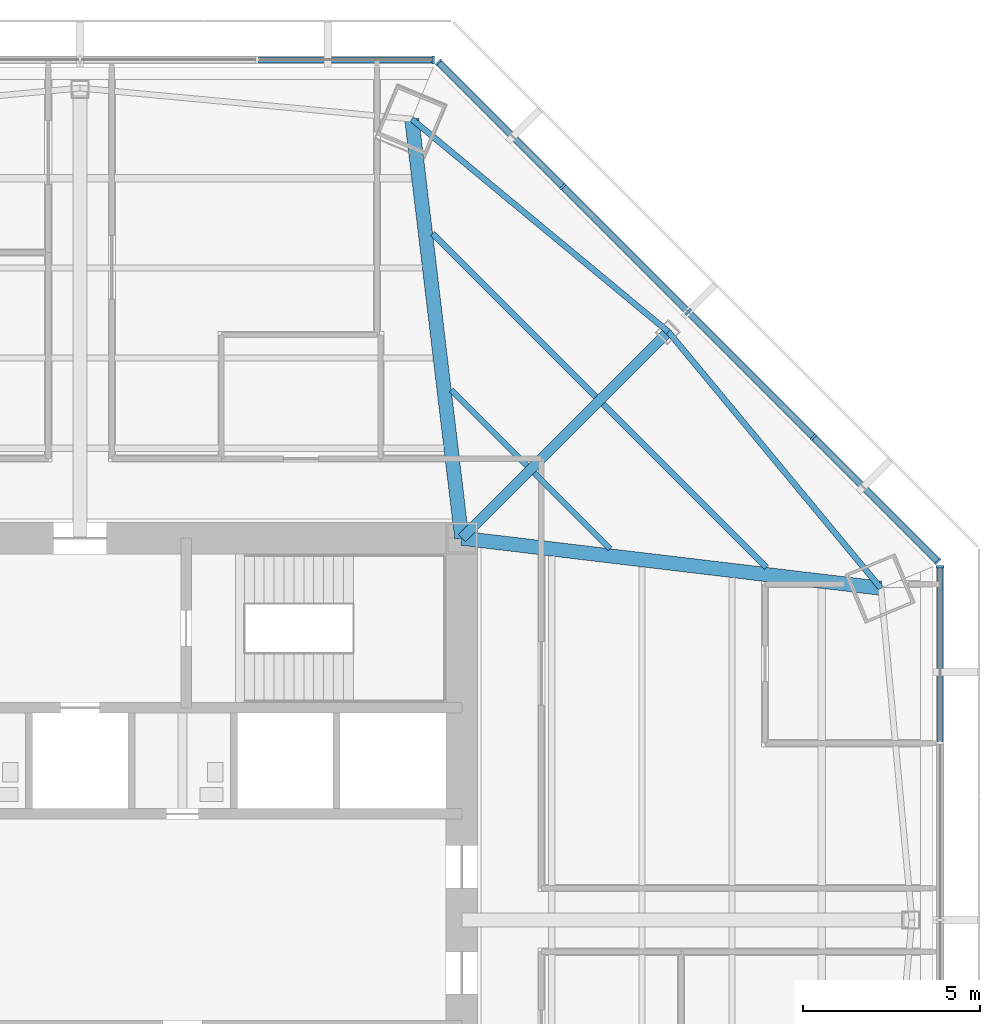
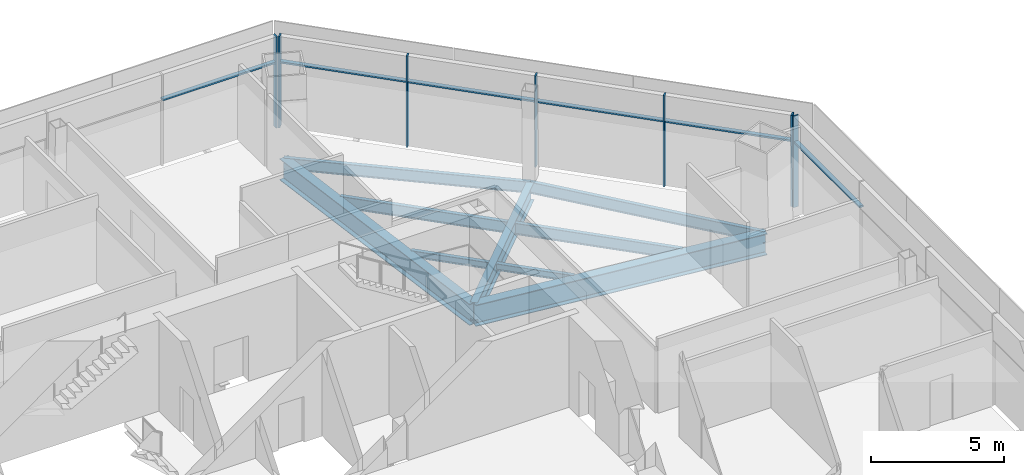
# One storey, part 6 of 14: 13 members, 9 beams, 3 elements without a shape of their own.
"""IFC4 building model written with IfcOpenShell, lengths in metres."""

from ifc_helpers import new_model, si_unit, direction, frame, origin, origin_2d, place, context, subcontext, project, spatial, rectangle, i_section, extrude, source, transform, mapped, material, material_profile, profile_set, type_object, type_shapes, element, aggregate, save


model = new_model("IFC4")

# Units and contexts
model_context = context("Model", 3, precision=1e-05, world=origin(), true_north=direction((0.0, 1.0)))
body_context = subcontext(model_context, "Body", "Model", "MODEL_VIEW")
ifc_project = project(units=[si_unit("LENGTHUNIT", "METRE"), si_unit("AREAUNIT", "SQUARE_METRE"), si_unit("VOLUMEUNIT", "CUBIC_METRE"), si_unit("PLANEANGLEUNIT", "RADIAN"), si_unit("MASSUNIT", "GRAM", prefix="KILO")], contexts=[model_context])

# Site, building, storey
site_placement = place(None, origin())
site = spatial("IfcSite", under=ifc_project, at=site_placement, CompositionType="ELEMENT")
building_placement = place(site_placement, origin())
building = spatial("IfcBuilding", under=site, at=building_placement, Name="Mashrafa Tower", CompositionType="ELEMENT")
storey_placement = place(building_placement, frame((0.0, 0.0, 130.199951171875)))
storey = spatial("IfcBuildingStorey", under=building, at=storey_placement, Name="L29", CompositionType="ELEMENT", Elevation=130.199951171875)

# Beams
ifc_material_1 = material(Name="Steel ASTM A992", Category="steel")
ifc_material_profile_1 = material_profile(ifc_material_1, i_section(OverallWidth=0.164794921875, OverallDepth=0.309814453125, WebThickness=0.005859375, FlangeThickness=0.009765625, FilletRadius=0.007568359375, at=origin_2d()), Name="W12X26")
ifc_profile_set_1 = profile_set([ifc_material_profile_1], Name="Steel ASTM A992")
beam_type_1 = type_object("IfcBeamType", Name="Beam W12X26", PredefinedType="BEAM", material=ifc_profile_set_1)
for number, where, z_axis, x_axis, name in (
    (1, (10.501953125, 14.9931640625, -0.31982421875), (0.707106781187, -0.707106781187, 0.0), (0.707106781187, 0.707106781187, 0.0), "Floor beam L29 033"),
    (2, (12.850830078125, 12.644287109375, -0.31982421875), (0.707106781187, -0.707106781187, 0.0), (0.707106781187, 0.707106781187, 0.0), "Floor beam L29 036"),
):
    element("IfcBeam", number, at=place(storey_placement, frame(where, z_axis=z_axis, x_axis=x_axis)), inside=storey, type_object=beam_type_1, Name=name, PredefinedType="BEAM", context=body_context, shape_type="SweptSolid", body=[
        extrude(i_section(OverallWidth=0.164794921875, OverallDepth=0.309814453125, WebThickness=0.005859375, FlangeThickness=0.009765625, FilletRadius=0.007568359375, at=origin_2d()), origin(), (0.0, 0.0, 1.0), 3.02978515625),
    ])
ifc_material_2 = material(Name="Steel ASTM A992", Category="steel")
ifc_material_profile_2 = material_profile(ifc_material_2, i_section(OverallWidth=0.1650390625, OverallDepth=0.52587890625, WebThickness=0.0087890625, FlangeThickness=0.011474609375, FilletRadius=0.0126953125, at=origin_2d()), Name="W21X44")
ifc_profile_set_2 = profile_set([ifc_material_profile_2], Name="Steel ASTM A992")
beam_type_2 = type_object("IfcBeamType", Name="Beam W21X44", PredefinedType="BEAM", material=ifc_profile_set_2)
for number, where, z_axis, x_axis, name in (
    (3, (9.97412109375, 19.416015625, -0.427734375), (0.707106781187, -0.707106781187, 0.0), (0.707106781187, 0.707106781187, 0.0), "Floor beam L29 030"),
    (4, (14.79833984375, 14.591796875, -0.427734375), (0.707106781187, -0.707106781187, 0.0), (0.707106781187, 0.707106781187, 0.0), "Floor beam L29 040"),
):
    element("IfcBeam", number, at=place(storey_placement, frame(where, z_axis=z_axis, x_axis=x_axis)), inside=storey, type_object=beam_type_2, Name=name, PredefinedType="BEAM", context=body_context, shape_type="SweptSolid", body=[
        extrude(i_section(OverallWidth=0.1650390625, OverallDepth=0.52587890625, WebThickness=0.0087890625, FlangeThickness=0.011474609375, FilletRadius=0.0126953125, at=origin_2d()), origin(), (0.0, 0.0, 1.0), 6.5302734375),
    ])
for number, where, z_axis, x_axis, name in (
    (5, (16.642578125, 16.642578125, -0.427734375), (-0.76990848316, 0.63815431328, 0.0), (-0.63815431328, -0.76990848316, 0.0), "Spandrel beam L29 077"),
    (6, (22.657958984375, 9.38525390625, -0.427734375), (-0.63815431328, 0.76990848316, 0.0), (-0.76990848316, -0.63815431328, 0.0), "Spandrel beam L29 079"),
):
    element("IfcBeam", number, at=place(storey_placement, frame(where, z_axis=z_axis, x_axis=x_axis)), inside=storey, type_object=beam_type_2, Name=name, PredefinedType="BEAM", context=body_context, shape_type="SweptSolid", body=[
        extrude(i_section(OverallWidth=0.1650390625, OverallDepth=0.52587890625, WebThickness=0.0087890625, FlangeThickness=0.011474609375, FilletRadius=0.0126953125, at=origin_2d()), origin(), (0.0, 0.0, 1.0), 9.42626953125),
    ])
ifc_material_3 = material(Name="Steel ASTM A992", Category="steel")
ifc_material_profile_3 = material_profile(ifc_material_3, i_section(OverallWidth=0.2919921875, OverallDepth=0.8408203125, WebThickness=0.0146484375, FlangeThickness=0.021728515625, FilletRadius=0.017333984375, at=origin_2d()), Name="W33X130")
ifc_profile_set_3 = profile_set([ifc_material_profile_3], Name="Steel ASTM A992")
beam_type_3 = type_object("IfcBeamType", Name="Beam W33X130", PredefinedType="BEAM", material=ifc_profile_set_3)
beam_placement = place(storey_placement, frame((10.800048828125, 10.800048828125, -0.585205078125), z_axis=(0.707106781187, 0.707106781187, 0.0), x_axis=(-0.707106781187, 0.707106781187, 0.0)))
element("IfcBeam", 7, at=beam_placement, inside=storey, type_object=beam_type_3, Name="Radial girder L29 063", PredefinedType="BEAM", context=body_context, shape_type="SweptSolid", body=[
    extrude(i_section(OverallWidth=0.2919921875, OverallDepth=0.8408203125, WebThickness=0.0146484375, FlangeThickness=0.021728515625, FilletRadius=0.017333984375, at=origin_2d()), origin(), (0.0, 0.0, 1.0), 8.2626953125),
])
ifc_material_4 = material(Name="Steel ASTM A992", Category="steel")
ifc_material_profile_4 = material_profile(ifc_material_4, i_section(OverallWidth=0.4013671875, OverallDepth=0.98291015625, WebThickness=0.0166015625, FlangeThickness=0.027099609375, FilletRadius=0.0126953125, at=origin_2d()), Name="W40X199")
ifc_profile_set_4 = profile_set([ifc_material_profile_4], Name="Steel ASTM A992")
beam_type_4 = type_object("IfcBeamType", Name="Beam W40X199", PredefinedType="BEAM", material=ifc_profile_set_4)
for number, where, z_axis, x_axis, name in (
    (8, (10.800048828125, 10.800048828125, -0.656494140625), (-0.118472062017, 0.992957386055, 0.0), (-0.992957386055, -0.118472062017, 0.0), "Radial girder L29 062"),
    (9, (10.800048828125, 10.800048828125, -0.656494140625), (0.992957386055, -0.118472062017, 0.0), (0.118472062017, 0.992957386055, 0.0), "Radial girder L29 064"),
):
    element("IfcBeam", number, at=place(storey_placement, frame(where, z_axis=z_axis, x_axis=x_axis)), inside=storey, type_object=beam_type_4, Name=name, PredefinedType="BEAM", context=body_context, shape_type="SweptSolid", body=[
        extrude(i_section(OverallWidth=0.4013671875, OverallDepth=0.98291015625, WebThickness=0.0166015625, FlangeThickness=0.027099609375, FilletRadius=0.0126953125, at=origin_2d()), origin(), (0.0, 0.0, 1.0), 11.94189453125),
    ])

# Curtain wall, member
ifc_material_5 = material(Name="Unitised aluminium curtain wall", Category="aluminium")
curtain_wall_type = type_object("IfcCurtainWallType", Name="Office curtain wall, zone 2 CW-B 225 deep", PredefinedType="NOTDEFINED", material=ifc_material_5)
curtain_wall_1_placement = place(storey_placement, origin())
curtain_wall_1 = element("IfcCurtainWall", 10, at=curtain_wall_1_placement, inside=storey, type_object=curtain_wall_type, Name="Office curtain wall, zone 2 L29 east", PredefinedType="NOTDEFINED")
ifc_material_6 = material(Name="Extruded aluminium mullion", Category="aluminium")
ifc_material_profile_5 = material_profile(ifc_material_6, rectangle(XDim=0.22509765625, YDim=0.06494140625, at=origin_2d()), Name="Mullion 65x225")
ifc_profile_set_5 = profile_set([ifc_material_profile_5], Name="Extruded aluminium mullion")
member_type_1 = type_object("IfcMemberType", Name="Mullion CW-B 65 x 225", PredefinedType="MULLION", material=ifc_profile_set_5)
shared_shape_1 = source(origin(), body_context, "Body", "SweptSolid", [
    extrude(rectangle(XDim=0.22509765625, YDim=0.06494140625, at=origin_2d()), origin(), (0.0, 0.0, 1.0), 4.199951171875),
])
type_shapes(member_type_1, [shared_shape_1])
member_1_placement = place(storey_placement, frame((24.33154296875, 9.9892578125, 0.0), z_axis=(0.0, 0.0, 1.0), x_axis=(-1.0, 0.0, 0.0)))
member_1 = element("IfcMember", 11, at=member_1_placement, type_object=member_type_1, Name="CW-B mullion 5", PredefinedType="MULLION", context=body_context, shape_type="MappedRepresentation", body=[
    mapped(shared_shape_1, transform((0.0, 0.0, 0.0))),
])

# Curtain wall, members
curtain_wall_2_placement = place(storey_placement, origin())
curtain_wall_2 = element("IfcCurtainWall", 12, at=curtain_wall_2_placement, inside=storey, type_object=curtain_wall_type, Name="Office curtain wall, zone 2 L29 north-east", PredefinedType="NOTDEFINED")
member_2_placement = place(storey_placement, frame((24.2685546875, 10.141357421875, 0.0), z_axis=(0.0, 0.0, 1.0), x_axis=(-0.707106781187, -0.707106781187, 0.0)))
member_2 = element("IfcMember", 13, at=member_2_placement, type_object=member_type_1, Name="CW-B mullion 1", PredefinedType="MULLION", context=body_context, shape_type="MappedRepresentation", body=[
    mapped(shared_shape_1, transform((0.0, 0.0, 0.0))),
])
member_3_placement = place(storey_placement, frame((20.748291015625, 13.66162109375, 0.0), z_axis=(0.0, 0.0, 1.0), x_axis=(-0.707106781187, -0.707106781187, 0.0)))
member_3 = element("IfcMember", 14, at=member_3_placement, type_object=member_type_1, Name="CW-B mullion 2", PredefinedType="MULLION", context=body_context, shape_type="MappedRepresentation", body=[
    mapped(shared_shape_1, transform((0.0, 0.0, 0.0))),
])
member_4_placement = place(storey_placement, frame((17.205078125, 17.205078125, 0.0), z_axis=(0.0, 0.0, 1.0), x_axis=(-0.707106781187, -0.707106781187, 0.0)))
member_4 = element("IfcMember", 15, at=member_4_placement, type_object=member_type_1, Name="CW-B mullion 3", PredefinedType="MULLION", context=body_context, shape_type="MappedRepresentation", body=[
    mapped(shared_shape_1, transform((0.0, 0.0, 0.0))),
])
member_5_placement = place(storey_placement, frame((13.66162109375, 20.748291015625, 0.0), z_axis=(0.0, 0.0, 1.0), x_axis=(-0.707106781187, -0.707106781187, 0.0)))
member_5 = element("IfcMember", 16, at=member_5_placement, type_object=member_type_1, Name="CW-B mullion 4", PredefinedType="MULLION", context=body_context, shape_type="MappedRepresentation", body=[
    mapped(shared_shape_1, transform((0.0, 0.0, 0.0))),
])
member_6_placement = place(storey_placement, frame((10.141357421875, 24.2685546875, 0.0), z_axis=(0.0, 0.0, 1.0), x_axis=(-0.707106781187, -0.707106781187, 0.0)))
member_6 = element("IfcMember", 17, at=member_6_placement, type_object=member_type_1, Name="CW-B mullion 5", PredefinedType="MULLION", context=body_context, shape_type="MappedRepresentation", body=[
    mapped(shared_shape_1, transform((0.0, 0.0, 0.0))),
])

# Curtain wall, member
curtain_wall_3_placement = place(storey_placement, origin())
curtain_wall_3 = element("IfcCurtainWall", 18, at=curtain_wall_3_placement, inside=storey, type_object=curtain_wall_type, Name="Office curtain wall, zone 2 L29 north", PredefinedType="NOTDEFINED")
member_7_placement = place(storey_placement, frame((9.9892578125, 24.33154296875, 0.0), z_axis=(0.0, 0.0, 1.0), x_axis=(0.0, -1.0, 0.0)))
member_7 = element("IfcMember", 19, at=member_7_placement, type_object=member_type_1, Name="CW-B mullion 1", PredefinedType="MULLION", context=body_context, shape_type="MappedRepresentation", body=[
    mapped(shared_shape_1, transform((0.0, 0.0, 0.0))),
])

# Member
ifc_material_7 = material(Name="Extruded aluminium transom", Category="aluminium")
ifc_material_profile_6 = material_profile(ifc_material_7, rectangle(XDim=0.179931640625, YDim=0.080078125, at=origin_2d()), Name="Transom 80x180")
ifc_profile_set_6 = profile_set([ifc_material_profile_6], Name="Extruded aluminium transom")
member_type_2 = type_object("IfcMemberType", Name="Transom CW-B 80 x 180", PredefinedType="MULLION", material=ifc_profile_set_6)
shared_shape_2 = source(origin(), body_context, "Body", "SweptSolid", [
    extrude(rectangle(XDim=0.179931640625, YDim=0.080078125, at=origin_2d()), origin(), (0.0, 0.0, 1.0), 4.913330078125),
])
member_8_placement = place(storey_placement, frame((24.33154296875, 5.04345703125, 3.0), z_axis=(0.0, 1.0, 0.0), x_axis=(-1.0, 0.0, 0.0)))
member_8 = element("IfcMember", 20, at=member_8_placement, type_object=member_type_2, Name="CW-B transom 4", PredefinedType="MULLION", context=body_context, shape_type="MappedRepresentation", body=[
    mapped(shared_shape_2, transform((0.0, 0.0, 0.0))),
])

aggregate(curtain_wall_1, [member_1, member_8])

member_9_placement = place(storey_placement, frame((24.24560546875, 10.16455078125, 3.0), z_axis=(-0.707131625512, 0.707081935988, 0.0), x_axis=(-0.707081935988, -0.707131625512, 0.0)))
member_9 = element("IfcMember", 21, at=member_9_placement, type_object=member_type_2, Name="CW-B transom 1", PredefinedType="MULLION", context=body_context, shape_type="MappedRepresentation", body=[
    mapped(shared_shape_2, transform((0.0, 0.0, 0.0))),
])

member_10_placement = place(storey_placement, frame((13.638671875, 20.771240234375, 3.0), z_axis=(-0.707081935988, 0.707131625512, 0.0), x_axis=(-0.707131625512, -0.707081935988, 0.0)))
member_10 = element("IfcMember", 22, at=member_10_placement, type_object=member_type_2, Name="CW-B transom 4", PredefinedType="MULLION", context=body_context, shape_type="MappedRepresentation", body=[
    mapped(shared_shape_2, transform((0.0, 0.0, 0.0))),
])

member_11_placement = place(storey_placement, frame((9.956787109375, 24.33154296875, 3.0), z_axis=(-1.0, 0.0, 0.0), x_axis=(0.0, -1.0, 0.0)))
member_11 = element("IfcMember", 23, at=member_11_placement, type_object=member_type_2, Name="CW-B transom 1", PredefinedType="MULLION", context=body_context, shape_type="MappedRepresentation", body=[
    mapped(shared_shape_2, transform((0.0, 0.0, 0.0))),
])

aggregate(curtain_wall_3, [member_7, member_11])

shared_shape_3 = source(origin(), body_context, "Body", "SweptSolid", [
    extrude(rectangle(XDim=0.179931640625, YDim=0.080078125, at=origin_2d()), origin(), (0.0, 0.0, 1.0), 4.946044921875),
])
type_shapes(member_type_2, [shared_shape_2, shared_shape_3])
member_12_placement = place(storey_placement, frame((20.725341796875, 13.684814453125, 3.0), z_axis=(-0.707106781187, 0.707106781187, 0.0), x_axis=(-0.707106781187, -0.707106781187, 0.0)))
member_12 = element("IfcMember", 24, at=member_12_placement, type_object=member_type_2, Name="CW-B transom 2", PredefinedType="MULLION", context=body_context, shape_type="MappedRepresentation", body=[
    mapped(shared_shape_3, transform((0.0, 0.0, 0.0))),
])

member_13_placement = place(storey_placement, frame((17.18212890625, 17.22802734375, 3.0), z_axis=(-0.707106781187, 0.707106781187, 0.0), x_axis=(-0.707106781187, -0.707106781187, 0.0)))
member_13 = element("IfcMember", 25, at=member_13_placement, type_object=member_type_2, Name="CW-B transom 3", PredefinedType="MULLION", context=body_context, shape_type="MappedRepresentation", body=[
    mapped(shared_shape_3, transform((0.0, 0.0, 0.0))),
])

aggregate(curtain_wall_2, [member_2, member_3, member_4, member_5, member_6, member_9, member_12, member_13, member_10])

save(model, "model.ifc")
